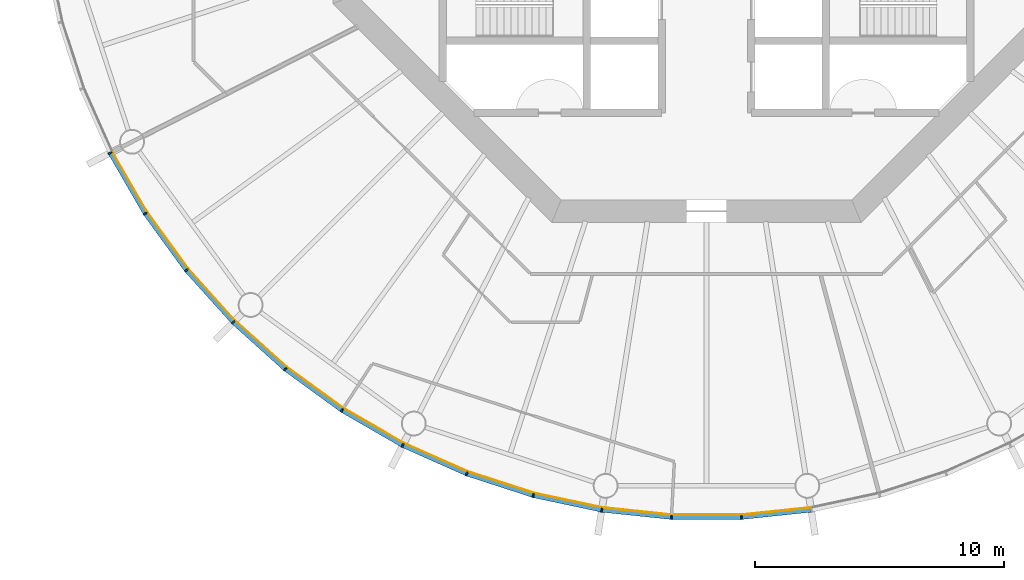
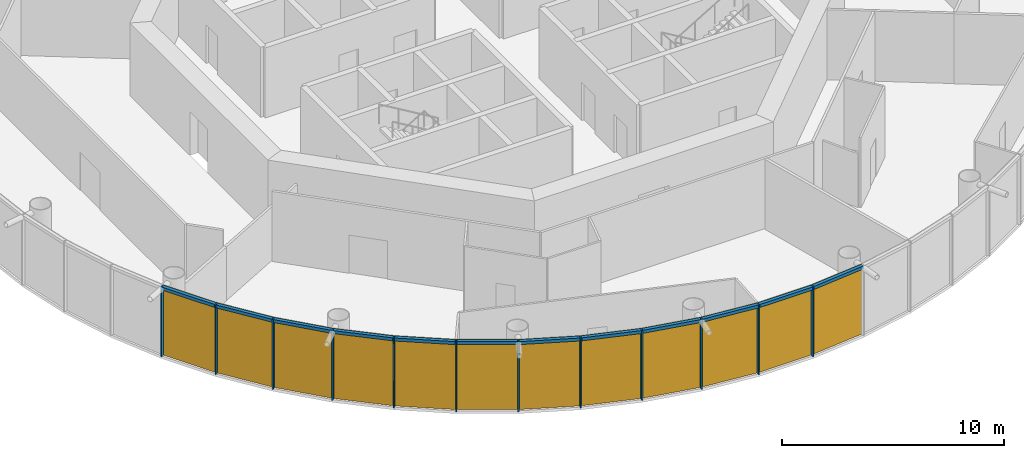
# One storey, part 7 of 13: 24 members, 4 curtain walls.
"""IFC4 building model written with IfcOpenShell, lengths in metres."""

from ifc_helpers import new_model, si_unit, direction, frame, origin, origin_2d, place, context, subcontext, project, spatial, polyline, rectangle, outline, extrude, material, layer, layer_set, material_profile, profile_set, type_object, element, aggregate, save


model = new_model("IFC4")

# Units and contexts
model_context = context("Model", 3, precision=1e-05, world=origin(), true_north=direction((0.0, 1.0)))
body_context = subcontext(model_context, "Body", "Model", "MODEL_VIEW")
ifc_project = project(units=[si_unit("LENGTHUNIT", "METRE"), si_unit("AREAUNIT", "SQUARE_METRE"), si_unit("VOLUMEUNIT", "CUBIC_METRE"), si_unit("PLANEANGLEUNIT", "RADIAN"), si_unit("MASSUNIT", "GRAM", prefix="KILO")], contexts=[model_context])

# Member
ifc_material_1 = material(Name="Anodised aluminium", Category="aluminium")
ifc_material_profile_1 = material_profile(ifc_material_1, rectangle(XDim=0.06005859375, YDim=0.169921875, at=origin_2d()), Name="Mullion 60 x 170 mm anodised aluminium")
ifc_profile_set_1 = profile_set([ifc_material_profile_1], Name="Anodised aluminium")
member_type_1 = type_object("IfcMemberType", Name="Mullion 60 x 170 mm anodised aluminium", PredefinedType="MULLION", material=ifc_profile_set_1)
site_placement = place(None, origin())
building_placement = place(site_placement, origin())
storey_placement = place(building_placement, frame((0.0, 0.0, 226.0)))
member_1_placement = place(storey_placement, frame((66.04541015625, 67.79443359375, 0.0), z_axis=(0.0, 0.0, 1.0), x_axis=(0.45399049974, -0.891006524188, 0.0)))
member_1 = element("IfcMember", 1, at=member_1_placement, type_object=member_type_1, Name="MULLION L52-33", PredefinedType="MULLION", context=body_context, shape_type="SweptSolid", body=[
    extrude(rectangle(XDim=0.06005859375, YDim=0.169921875, at=origin_2d()), origin(), (0.0, 0.0, 1.0), 3.85009765625),
])

member_2_placement = place(storey_placement, frame((67.452392578125, 65.357421875, 0.0), z_axis=(0.0, 0.0, 1.0), x_axis=(0.544639035015, -0.838670567945, 0.0)))
member_2 = element("IfcMember", 2, at=member_2_placement, type_object=member_type_1, Name="MULLION L52-34", PredefinedType="MULLION", context=body_context, shape_type="SweptSolid", body=[
    extrude(rectangle(XDim=0.06005859375, YDim=0.169921875, at=origin_2d()), origin(), (0.0, 0.0, 1.0), 3.85009765625),
])

member_3_placement = place(storey_placement, frame((69.1064453125, 63.080810546875, 0.0), z_axis=(0.0, 0.0, 1.0), x_axis=(0.62932039105, -0.777145961457, 0.0)))
member_3 = element("IfcMember", 3, at=member_3_placement, type_object=member_type_1, Name="MULLION L52-35", PredefinedType="MULLION", context=body_context, shape_type="SweptSolid", body=[
    extrude(rectangle(XDim=0.06005859375, YDim=0.169921875, at=origin_2d()), origin(), (0.0, 0.0, 1.0), 3.85009765625),
])

member_4_placement = place(storey_placement, frame((70.989501953125, 60.989501953125, 0.0), z_axis=(0.0, 0.0, 1.0), x_axis=(0.707106781187, -0.707106781187, 0.0)))
member_4 = element("IfcMember", 4, at=member_4_placement, type_object=member_type_1, Name="MULLION L52-36", PredefinedType="MULLION", context=body_context, shape_type="SweptSolid", body=[
    extrude(rectangle(XDim=0.06005859375, YDim=0.169921875, at=origin_2d()), origin(), (0.0, 0.0, 1.0), 3.85009765625),
])

member_5_placement = place(storey_placement, frame((73.080810546875, 59.1064453125, 0.0), z_axis=(0.0, 0.0, 1.0), x_axis=(0.777145961457, -0.62932039105, 0.0)))
member_5 = element("IfcMember", 5, at=member_5_placement, type_object=member_type_1, Name="MULLION L52-37", PredefinedType="MULLION", context=body_context, shape_type="SweptSolid", body=[
    extrude(rectangle(XDim=0.06005859375, YDim=0.169921875, at=origin_2d()), origin(), (0.0, 0.0, 1.0), 3.85009765625),
])

member_6_placement = place(storey_placement, frame((75.357421875, 57.452392578125, 0.0), z_axis=(0.0, 0.0, 1.0), x_axis=(0.838670567945, -0.544639035015, 0.0)))
member_6 = element("IfcMember", 6, at=member_6_placement, type_object=member_type_1, Name="MULLION L52-38", PredefinedType="MULLION", context=body_context, shape_type="SweptSolid", body=[
    extrude(rectangle(XDim=0.06005859375, YDim=0.169921875, at=origin_2d()), origin(), (0.0, 0.0, 1.0), 3.85009765625),
])

member_7_placement = place(storey_placement, frame((77.79443359375, 56.04541015625, 0.0), z_axis=(0.0, 0.0, 1.0), x_axis=(0.891006524188, -0.45399049974, 0.0)))
member_7 = element("IfcMember", 7, at=member_7_placement, type_object=member_type_1, Name="MULLION L52-39", PredefinedType="MULLION", context=body_context, shape_type="SweptSolid", body=[
    extrude(rectangle(XDim=0.06005859375, YDim=0.169921875, at=origin_2d()), origin(), (0.0, 0.0, 1.0), 3.85009765625),
])

member_8_placement = place(storey_placement, frame((80.365234375, 54.900634765625, 0.0), z_axis=(0.0, 0.0, 1.0), x_axis=(0.933580426497, -0.358367949545, 0.0)))
member_8 = element("IfcMember", 8, at=member_8_placement, type_object=member_type_1, Name="MULLION L52-40", PredefinedType="MULLION", context=body_context, shape_type="SweptSolid", body=[
    extrude(rectangle(XDim=0.06005859375, YDim=0.169921875, at=origin_2d()), origin(), (0.0, 0.0, 1.0), 3.85009765625),
])

member_9_placement = place(storey_placement, frame((83.041748046875, 54.031005859375, 0.0), z_axis=(0.0, 0.0, 1.0), x_axis=(0.965925826289, -0.258819045103, 0.0)))
member_9 = element("IfcMember", 9, at=member_9_placement, type_object=member_type_1, Name="MULLION L52-41", PredefinedType="MULLION", context=body_context, shape_type="SweptSolid", body=[
    extrude(rectangle(XDim=0.06005859375, YDim=0.169921875, at=origin_2d()), origin(), (0.0, 0.0, 1.0), 3.85009765625),
])

member_10_placement = place(storey_placement, frame((85.794189453125, 53.446044921875, 0.0), z_axis=(0.0, 0.0, 1.0), x_axis=(0.987688340595, -0.15643446504, 0.0)))
member_10 = element("IfcMember", 10, at=member_10_placement, type_object=member_type_1, Name="MULLION L52-42", PredefinedType="MULLION", context=body_context, shape_type="SweptSolid", body=[
    extrude(rectangle(XDim=0.06005859375, YDim=0.169921875, at=origin_2d()), origin(), (0.0, 0.0, 1.0), 3.85009765625),
])

member_11_placement = place(storey_placement, frame((88.593017578125, 53.15185546875, 0.0), z_axis=(0.0, 0.0, 1.0), x_axis=(0.998629534755, -0.052335956243, 0.0)))
member_11 = element("IfcMember", 11, at=member_11_placement, type_object=member_type_1, Name="MULLION L52-43", PredefinedType="MULLION", context=body_context, shape_type="SweptSolid", body=[
    extrude(rectangle(XDim=0.06005859375, YDim=0.169921875, at=origin_2d()), origin(), (0.0, 0.0, 1.0), 3.85009765625),
])

member_12_placement = place(storey_placement, frame((91.406982421875, 53.15185546875, 0.0), z_axis=(0.0, 0.0, 1.0), x_axis=(0.998629534755, 0.052335956243, 0.0)))
member_12 = element("IfcMember", 12, at=member_12_placement, type_object=member_type_1, Name="MULLION L52-44", PredefinedType="MULLION", context=body_context, shape_type="SweptSolid", body=[
    extrude(rectangle(XDim=0.06005859375, YDim=0.169921875, at=origin_2d()), origin(), (0.0, 0.0, 1.0), 3.85009765625),
])

ifc_material_2 = material(Name="Anodised aluminium", Category="aluminium")
ifc_material_profile_2 = material_profile(ifc_material_2, rectangle(XDim=0.169921875, YDim=0.1650390625, at=origin_2d()), Name="Transom 165 x 170 mm anodised aluminium")
ifc_profile_set_2 = profile_set([ifc_material_profile_2], Name="Anodised aluminium")
member_type_2 = type_object("IfcMemberType", Name="Transom 165 x 170 mm anodised aluminium", PredefinedType="USERDEFINED", material=ifc_profile_set_2)
member_13_placement = place(storey_placement, frame((66.0625, 67.7646484375, 3.767578125), z_axis=(0.49998419723, -0.866034527326, 0.0), x_axis=(0.866034527326, 0.49998419723, 0.0)))
member_13 = element("IfcMember", 13, at=member_13_placement, type_object=member_type_2, Name="TRANSOM L52-33", ObjectType="TRANSOM", PredefinedType="USERDEFINED", context=body_context, shape_type="SweptSolid", body=[
    extrude(rectangle(XDim=0.169921875, YDim=0.1650390625, at=origin_2d()), origin(), (0.0, 0.0, 1.0), 2.7451171875),
])

member_14_placement = place(storey_placement, frame((67.472412109375, 65.329345703125, 3.767578125), z_axis=(0.587864947412, -0.808959086484, 0.0), x_axis=(0.808959086484, 0.587864947412, 0.0)))
member_14 = element("IfcMember", 14, at=member_14_placement, type_object=member_type_2, Name="TRANSOM L52-34", ObjectType="TRANSOM", PredefinedType="USERDEFINED", context=body_context, shape_type="SweptSolid", body=[
    extrude(rectangle(XDim=0.169921875, YDim=0.1650390625, at=origin_2d()), origin(), (0.0, 0.0, 1.0), 2.7451171875),
])

member_15_placement = place(storey_placement, frame((69.12939453125, 63.054931640625, 3.767578125), z_axis=(0.669141598561, -0.743134927907, 0.0), x_axis=(0.743134927907, 0.669141598561, 0.0)))
member_15 = element("IfcMember", 15, at=member_15_placement, type_object=member_type_2, Name="TRANSOM L52-35", ObjectType="TRANSOM", PredefinedType="USERDEFINED", context=body_context, shape_type="SweptSolid", body=[
    extrude(rectangle(XDim=0.169921875, YDim=0.1650390625, at=origin_2d()), origin(), (0.0, 0.0, 1.0), 2.7451171875),
])

member_16_placement = place(storey_placement, frame((71.014892578125, 60.96630859375, 3.767578125), z_axis=(0.743134927907, -0.669141598561, 0.0), x_axis=(0.669141598561, 0.743134927907, 0.0)))
member_16 = element("IfcMember", 16, at=member_16_placement, type_object=member_type_2, Name="TRANSOM L52-36", ObjectType="TRANSOM", PredefinedType="USERDEFINED", context=body_context, shape_type="SweptSolid", body=[
    extrude(rectangle(XDim=0.169921875, YDim=0.1650390625, at=origin_2d()), origin(), (0.0, 0.0, 1.0), 2.7451171875),
])

member_17_placement = place(storey_placement, frame((73.108642578125, 59.086181640625, 3.767578125), z_axis=(0.808959086484, -0.587864947412, 0.0), x_axis=(0.587864947412, 0.808959086484, 0.0)))
member_17 = element("IfcMember", 17, at=member_17_placement, type_object=member_type_2, Name="TRANSOM L52-37", ObjectType="TRANSOM", PredefinedType="USERDEFINED", context=body_context, shape_type="SweptSolid", body=[
    extrude(rectangle(XDim=0.169921875, YDim=0.1650390625, at=origin_2d()), origin(), (0.0, 0.0, 1.0), 2.7451171875),
])

member_18_placement = place(storey_placement, frame((75.38720703125, 57.43505859375, 3.767578125), z_axis=(0.866034527326, -0.49998419723, 0.0), x_axis=(0.49998419723, 0.866034527326, 0.0)))
member_18 = element("IfcMember", 18, at=member_18_placement, type_object=member_type_2, Name="TRANSOM L52-38", ObjectType="TRANSOM", PredefinedType="USERDEFINED", context=body_context, shape_type="SweptSolid", body=[
    extrude(rectangle(XDim=0.169921875, YDim=0.1650390625, at=origin_2d()), origin(), (0.0, 0.0, 1.0), 2.7451171875),
])

member_19_placement = place(storey_placement, frame((77.825927734375, 56.03125, 3.767578125), z_axis=(0.913525267704, -0.406781987391, 0.0), x_axis=(0.406781987391, 0.913525267704, 0.0)))
member_19 = element("IfcMember", 19, at=member_19_placement, type_object=member_type_2, Name="TRANSOM L52-39", ObjectType="TRANSOM", PredefinedType="USERDEFINED", context=body_context, shape_type="SweptSolid", body=[
    extrude(rectangle(XDim=0.169921875, YDim=0.1650390625, at=origin_2d()), origin(), (0.0, 0.0, 1.0), 2.7451171875),
])

member_20_placement = place(storey_placement, frame((80.39794921875, 54.889892578125, 3.767578125), z_axis=(0.951048445774, -0.309041831781, 0.0), x_axis=(0.309041831781, 0.951048445774, 0.0)))
member_20 = element("IfcMember", 20, at=member_20_placement, type_object=member_type_2, Name="TRANSOM L52-40", ObjectType="TRANSOM", PredefinedType="USERDEFINED", context=body_context, shape_type="SweptSolid", body=[
    extrude(rectangle(XDim=0.169921875, YDim=0.1650390625, at=origin_2d()), origin(), (0.0, 0.0, 1.0), 2.7451171875),
])

member_21_placement = place(storey_placement, frame((83.075439453125, 54.02392578125, 3.767578125), z_axis=(0.97814212115, -0.207937468562, 0.0), x_axis=(0.207937468562, 0.97814212115, 0.0)))
member_21 = element("IfcMember", 21, at=member_21_placement, type_object=member_type_2, Name="TRANSOM L52-41", ObjectType="TRANSOM", PredefinedType="USERDEFINED", context=body_context, shape_type="SweptSolid", body=[
    extrude(rectangle(XDim=0.169921875, YDim=0.1650390625, at=origin_2d()), origin(), (0.0, 0.0, 1.0), 2.7451171875),
])

member_22_placement = place(storey_placement, frame((85.82861328125, 53.4423828125, 3.767578125), z_axis=(0.994515195344, -0.104592190102, 0.0), x_axis=(0.104592190102, 0.994515195344, 0.0)))
member_22 = element("IfcMember", 22, at=member_22_placement, type_object=member_type_2, Name="TRANSOM L52-42", ObjectType="TRANSOM", PredefinedType="USERDEFINED", context=body_context, shape_type="SweptSolid", body=[
    extrude(rectangle(XDim=0.169921875, YDim=0.1650390625, at=origin_2d()), origin(), (0.0, 0.0, 1.0), 2.7451171875),
])

member_23_placement = place(storey_placement, frame((88.62744140625, 53.151611328125, 3.767578125), z_axis=(1.0, 0.0, 0.0), x_axis=(0.0, 1.0, 0.0)))
member_23 = element("IfcMember", 23, at=member_23_placement, type_object=member_type_2, Name="TRANSOM L52-43", ObjectType="TRANSOM", PredefinedType="USERDEFINED", context=body_context, shape_type="SweptSolid", body=[
    extrude(rectangle(XDim=0.169921875, YDim=0.1650390625, at=origin_2d()), origin(), (0.0, 0.0, 1.0), 2.7451171875),
])

member_24_placement = place(storey_placement, frame((91.44140625, 53.1552734375, 3.767578125), z_axis=(0.994515195344, 0.104592190102, 0.0), x_axis=(-0.104592190102, 0.994515195344, 0.0)))
member_24 = element("IfcMember", 24, at=member_24_placement, type_object=member_type_2, Name="TRANSOM L52-44", ObjectType="TRANSOM", PredefinedType="USERDEFINED", context=body_context, shape_type="SweptSolid", body=[
    extrude(rectangle(XDim=0.169921875, YDim=0.1650390625, at=origin_2d()), origin(), (0.0, 0.0, 1.0), 2.7451171875),
])

# Site, building, storey
site = spatial("IfcSite", under=ifc_project, at=site_placement, CompositionType="ELEMENT")
building = spatial("IfcBuilding", under=site, at=building_placement, Name="Entoto Ring Tower", CompositionType="ELEMENT")
storey = spatial("IfcBuildingStorey", under=building, at=storey_placement, Name="L52", CompositionType="ELEMENT", Elevation=226.0)

# Curtain wall
ifc_material_3 = material(Name="Clear low-iron glass", Category="glass")
ifc_layer = layer(ifc_material_3, 0.031982421875)
ifc_layer_set = layer_set([ifc_layer], Name="Clear low-iron glass")
curtain_wall_type = type_object("IfcCurtainWallType", Name="Curtain wall system CW4 glazing 32 mm", PredefinedType="NOTDEFINED", material=ifc_layer_set)
curtain_wall_1_placement = place(storey_placement, origin())
curtain_wall_1 = element("IfcCurtainWall", 25, at=curtain_wall_1_placement, inside=storey, type_object=curtain_wall_type, Name="CW4 L52-12", PredefinedType="NOTDEFINED", context=body_context, shape_type="SweptSolid", body=[
    extrude(outline(polyline([(66.12109375, 67.8330078125), (67.523681640625, 65.403564453125), (69.172607421875, 63.13427734375), (71.049560546875, 61.049560546875), (71.072265625, 61.072265625), (69.197509765625, 63.154296875), (67.550537109375, 65.421142578125), (66.149658203125, 67.84765625), (66.12109375, 67.8330078125)])), origin(), (0.0, 0.0, 1.0), 3.85009765625),
])

aggregate(curtain_wall_1, [member_1, member_2, member_3, member_13, member_14, member_15])

curtain_wall_2_placement = place(storey_placement, origin())
curtain_wall_2 = element("IfcCurtainWall", 26, at=curtain_wall_2_placement, inside=storey, type_object=curtain_wall_type, Name="CW4 L52-13", PredefinedType="NOTDEFINED", context=body_context, shape_type="SweptSolid", body=[
    extrude(outline(polyline([(71.049560546875, 61.049560546875), (73.13427734375, 59.172607421875), (75.403564453125, 57.523681640625), (77.8330078125, 56.12109375), (77.84765625, 56.149658203125), (75.421142578125, 57.550537109375), (73.154296875, 59.197509765625), (71.072265625, 61.072265625), (71.049560546875, 61.049560546875)])), origin(), (0.0, 0.0, 1.0), 3.85009765625),
])

aggregate(curtain_wall_2, [member_4, member_5, member_6, member_16, member_17, member_18])

curtain_wall_3_placement = place(storey_placement, origin())
curtain_wall_3 = element("IfcCurtainWall", 27, at=curtain_wall_3_placement, inside=storey, type_object=curtain_wall_type, Name="CW4 L52-14", PredefinedType="NOTDEFINED", context=body_context, shape_type="SweptSolid", body=[
    extrude(outline(polyline([(77.8330078125, 56.12109375), (80.395751953125, 54.97998046875), (83.063720703125, 54.11328125), (85.8076171875, 53.530029296875), (85.8125, 53.5615234375), (83.072021484375, 54.14404296875), (80.4072265625, 55.010009765625), (77.84765625, 56.149658203125), (77.8330078125, 56.12109375)])), origin(), (0.0, 0.0, 1.0), 3.85009765625),
])

aggregate(curtain_wall_3, [member_7, member_8, member_9, member_19, member_20, member_21])

curtain_wall_4_placement = place(storey_placement, origin())
curtain_wall_4 = element("IfcCurtainWall", 28, at=curtain_wall_4_placement, inside=storey, type_object=curtain_wall_type, Name="CW4 L52-15", PredefinedType="NOTDEFINED", context=body_context, shape_type="SweptSolid", body=[
    extrude(outline(polyline([(85.8076171875, 53.530029296875), (88.597412109375, 53.23681640625), (91.402587890625, 53.23681640625), (94.1923828125, 53.530029296875), (94.1875, 53.5615234375), (91.40087890625, 53.268798828125), (88.59912109375, 53.268798828125), (85.8125, 53.5615234375), (85.8076171875, 53.530029296875)])), origin(), (0.0, 0.0, 1.0), 3.85009765625),
])

aggregate(curtain_wall_4, [member_10, member_11, member_12, member_22, member_23, member_24])

save(model, "model.ifc")
